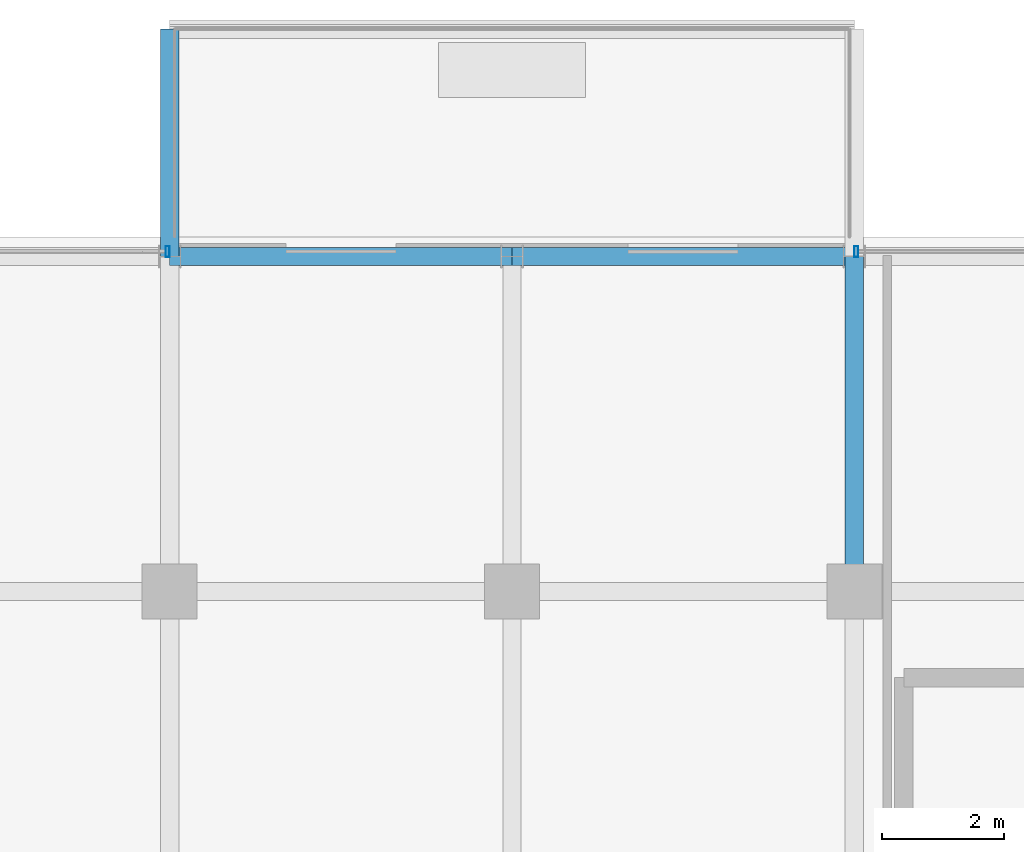
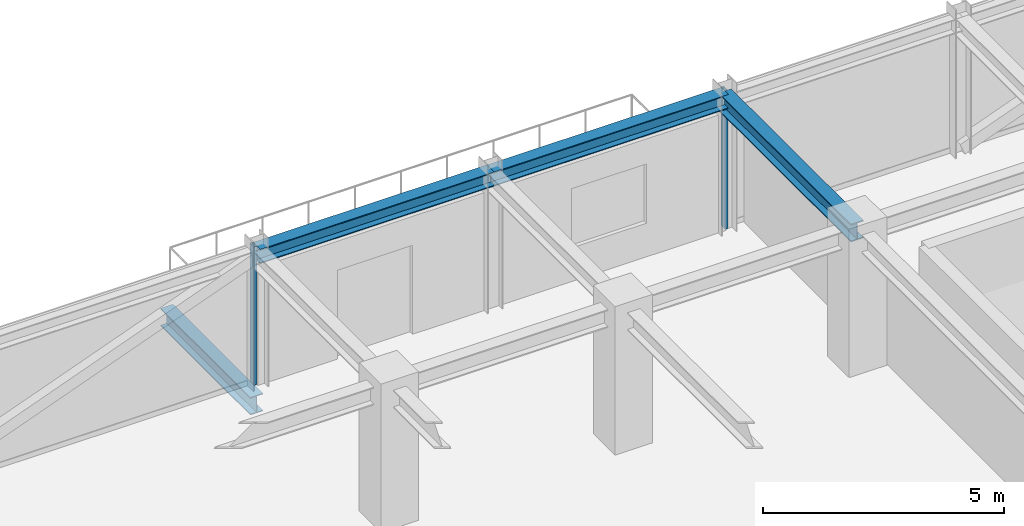
# One storey, part 21 of 36: 4 beams, 2 members, 2 elements without a shape of their own.
"""IFC4 building model written with IfcOpenShell, lengths in metres."""

from ifc_helpers import new_model, si_unit, direction, frame, origin, origin_2d, place, context, subcontext, project, spatial, hollow_rectangle, i_section, extrude, source, transform, mapped, material, material_profile, profile_set, type_object, element, aggregate, save


model = new_model("IFC4")

# Units and contexts
model_context = context("Model", 3, precision=1e-05, world=origin(), true_north=direction((0.0, 1.0)))
body_context = subcontext(model_context, "Body", "Model", "MODEL_VIEW")
ifc_project = project(units=[si_unit("LENGTHUNIT", "METRE"), si_unit("AREAUNIT", "SQUARE_METRE"), si_unit("VOLUMEUNIT", "CUBIC_METRE"), si_unit("PLANEANGLEUNIT", "RADIAN"), si_unit("MASSUNIT", "GRAM", prefix="KILO")], contexts=[model_context])

# Site, building, storey
site_placement = place(None, origin())
site = spatial("IfcSite", under=ifc_project, at=site_placement, CompositionType="ELEMENT")
building_placement = place(site_placement, origin())
building = spatial("IfcBuilding", under=site, at=building_placement, Name="Nahalor Promenade Grand Hotel", CompositionType="ELEMENT")
storey_placement = place(building_placement, frame((0.0, 0.0, 319.550048828125)))
storey = spatial("IfcBuildingStorey", under=building, at=storey_placement, Name="L82", CompositionType="ELEMENT", Elevation=319.550048828125)

# Beams
ifc_material_1 = material(Name="Steel S355JR", Category="steel")
ifc_material_profile_1 = material_profile(ifc_material_1, i_section(OverallWidth=0.3, OverallDepth=0.45, WebThickness=0.014, FlangeThickness=0.026, at=origin_2d()), Name="HEB 450")
ifc_profile_set_1 = profile_set([ifc_material_profile_1], Name="Steel S355JR")
beam_type_1 = type_object("IfcBeamType", Name="Beam-Outrigger-HEB450", PredefinedType="BEAM", material=ifc_profile_set_1)
shared_shape_1 = source(origin(), body_context, "Body", "SweptSolid", [
    extrude(i_section(OverallWidth=0.3, OverallDepth=0.45, WebThickness=0.014, FlangeThickness=0.026, at=origin_2d()), origin(), (0.0, 0.0, 1.0), 3.719970703125),
])
beam_1_placement = place(storey_placement, frame((-8.39990234375, 22.47998046875, -0.505126953125), z_axis=(0.0, 1.0, 0.0), x_axis=(-1.0, 0.0, 0.0)))
element("IfcBeam", 1, at=beam_1_placement, inside=storey, type_object=beam_type_1, Name="BM-L82-BC-01-1", PredefinedType="BEAM", context=body_context, shape_type="MappedRepresentation", body=[
    mapped(shared_shape_1, transform((0.0, 0.0, 0.0), scale=1.0)),
])
ifc_material_profile_2 = material_profile(ifc_material_1, i_section(OverallWidth=0.3, OverallDepth=0.45, WebThickness=0.014, FlangeThickness=0.026, at=origin_2d()), Name="HEB 450")
ifc_profile_set_2 = profile_set([ifc_material_profile_2], Name="Steel S355JR")
beam_type_2 = type_object("IfcBeamType", Name="Beam-Girder-HEB450", PredefinedType="BEAM", material=ifc_profile_set_2)
shared_shape_2 = source(origin(), body_context, "Body", "SweptSolid", [
    extrude(i_section(OverallWidth=0.3, OverallDepth=0.45, WebThickness=0.014, FlangeThickness=0.026, at=origin_2d()), origin(), (0.0, 0.0, 1.0), 5.47998046875),
])
beam_2_placement = place(storey_placement, frame((2.800048828125, 17.0, 3.27490234375), z_axis=(0.0, 1.0, 0.0), x_axis=(-1.0, 0.0, 0.0)))
element("IfcBeam", 2, at=beam_2_placement, inside=storey, type_object=beam_type_2, Name="BM-L82-GY-3-4", PredefinedType="BEAM", context=body_context, shape_type="MappedRepresentation", body=[
    mapped(shared_shape_2, transform((0.0, 0.0, 0.0), scale=1.0)),
])
ifc_material_profile_3 = material_profile(ifc_material_1, i_section(OverallWidth=0.3, OverallDepth=0.36, WebThickness=0.0125, FlangeThickness=0.0225, at=origin_2d()), Name="HEB 360")
ifc_profile_set_3 = profile_set([ifc_material_profile_3], Name="Steel S355JR")
beam_type_3 = type_object("IfcBeamType", Name="Beam-Spandrel-HEB360", PredefinedType="SPANDREL", material=ifc_profile_set_3)
shared_shape_3 = source(origin(), body_context, "Body", "SweptSolid", [
    extrude(i_section(OverallWidth=0.3, OverallDepth=0.36, WebThickness=0.0125, FlangeThickness=0.0225, at=origin_2d()), origin(), (0.0, 0.0, 1.0), 5.599853515625),
])
beam_3_placement = place(storey_placement, frame((-8.39990234375, 22.47998046875, 3.320068359375), z_axis=(1.0, 0.0, 0.0), x_axis=(0.0, 1.0, 0.0)))
element("IfcBeam", 3, at=beam_3_placement, inside=storey, type_object=beam_type_3, Name="BM-L82-SP-N-1", PredefinedType="SPANDREL", context=body_context, shape_type="MappedRepresentation", body=[
    mapped(shared_shape_3, transform((0.0, 0.0, 0.0), scale=1.0)),
])
shared_shape_4 = source(origin(), body_context, "Body", "SweptSolid", [
    extrude(i_section(OverallWidth=0.3, OverallDepth=0.36, WebThickness=0.0125, FlangeThickness=0.0225, at=origin_2d()), origin(), (0.0, 0.0, 1.0), 5.60009765625),
])
beam_4_placement = place(storey_placement, frame((-2.800048828125, 22.47998046875, 3.320068359375), z_axis=(1.0, 0.0, 0.0), x_axis=(0.0, 1.0, 0.0)))
element("IfcBeam", 4, at=beam_4_placement, inside=storey, type_object=beam_type_3, Name="BM-L82-SP-N-2", PredefinedType="SPANDREL", context=body_context, shape_type="MappedRepresentation", body=[
    mapped(shared_shape_4, transform((0.0, 0.0, 0.0), scale=1.0)),
])

# Curtain wall, member
ifc_material_2 = material(Name="Anodised Bronze Aluminium EN AW-6063 T6", Category="aluminium")
curtain_wall_type = type_object("IfcCurtainWallType", Name="CW2 Typical Hotel Flush Bronze Unitised Curtain Wall", PredefinedType="USERDEFINED", material=ifc_material_2)
curtain_wall_1_placement = place(storey_placement, origin())
curtain_wall_1 = element("IfcCurtainWall", 5, at=curtain_wall_1_placement, inside=storey, type_object=curtain_wall_type, Name="L82 Curtain Wall CW-L82-N-1", ObjectType="UNITISED_CURTAIN_WALL", PredefinedType="USERDEFINED")
ifc_material_profile_4 = material_profile(ifc_material_2, hollow_rectangle(XDim=0.065, YDim=0.18, WallThickness=0.004, at=origin_2d()), Name="CWM 65x180x4")
ifc_profile_set_4 = profile_set([ifc_material_profile_4], Name="Anodised Bronze Aluminium EN AW-6063 T6")
member_type = type_object("IfcMemberType", Name="CWM2 Typical Bronze Mullion 65x180", PredefinedType="MULLION", material=ifc_profile_set_4)
shared_shape_5 = source(origin(), body_context, "Body", "SweptSolid", [
    extrude(hollow_rectangle(XDim=0.065, YDim=0.18, WallThickness=0.004, at=origin_2d()), origin(), (0.0, 0.0, 1.0), 3.5),
])
member_1_placement = place(storey_placement, frame((-8.4326171875, 22.56005859375, 0.0), z_axis=(0.0, 0.0, 1.0), x_axis=(1.0, 0.0, 0.0)))
member_1 = element("IfcMember", 6, at=member_1_placement, type_object=member_type, Name="CW-L82-N-1 Mullion 1", PredefinedType="MULLION", context=body_context, shape_type="MappedRepresentation", body=[
    mapped(shared_shape_5, transform((0.0, 0.0, 0.0), scale=1.0)),
])
aggregate(curtain_wall_1, [member_1])

curtain_wall_2_placement = place(storey_placement, origin())
curtain_wall_2 = element("IfcCurtainWall", 7, at=curtain_wall_2_placement, inside=storey, type_object=curtain_wall_type, Name="L82 Curtain Wall CW-L82-N-3", ObjectType="UNITISED_CURTAIN_WALL", PredefinedType="USERDEFINED")
member_2_placement = place(storey_placement, frame((2.83251953125, 22.56005859375, 0.0), z_axis=(0.0, 0.0, 1.0), x_axis=(1.0, 0.0, 0.0)))
member_2 = element("IfcMember", 8, at=member_2_placement, type_object=member_type, Name="CW-L82-N-3 Mullion 0", PredefinedType="MULLION", context=body_context, shape_type="MappedRepresentation", body=[
    mapped(shared_shape_5, transform((0.0, 0.0, 0.0), scale=1.0)),
])
aggregate(curtain_wall_2, [member_2])

save(model, "model.ifc")
